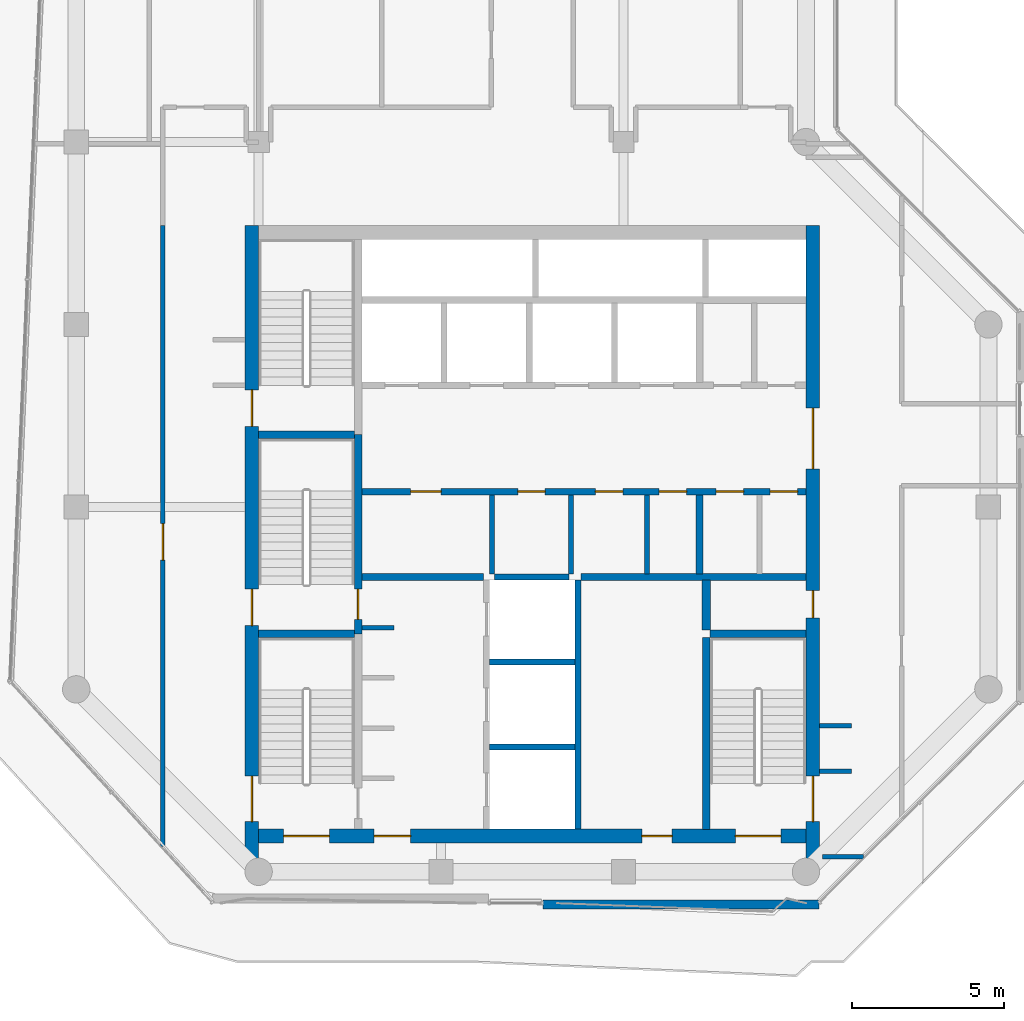
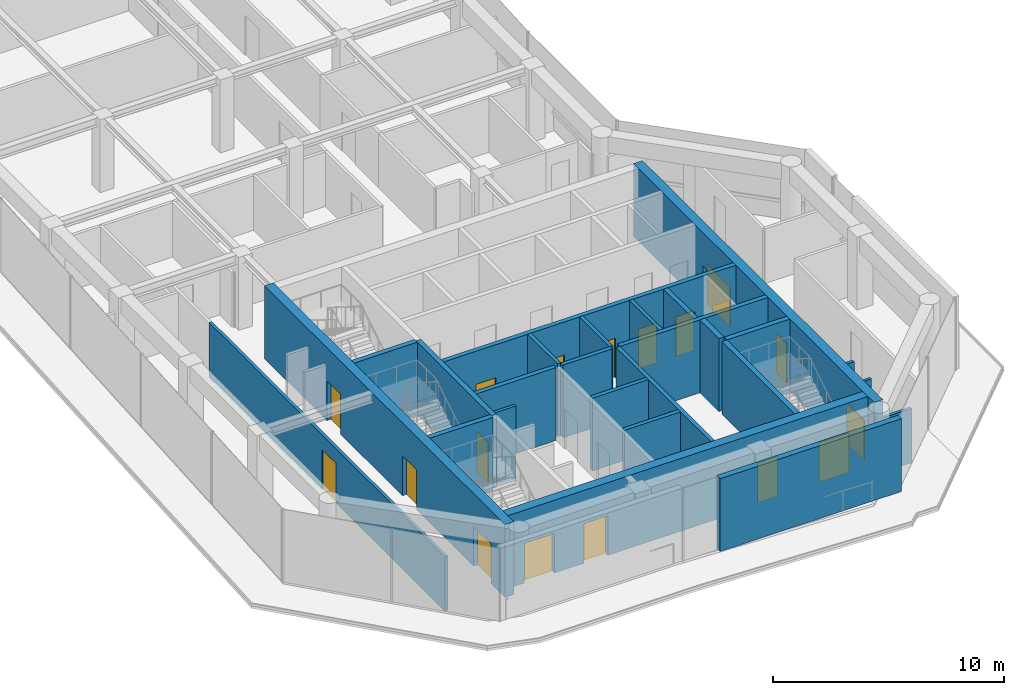
# One storey, part 16 of 20: 26 walls, 18 doors, 18 openings.
"""IFC4 building model written with IfcOpenShell, lengths in metres."""

import ifcopenshell
import ifcopenshell.guid

model = None  # the IFC model being written
_history = None  # IfcOwnerHistory: only IFC2X3 demands one
_inside = {}  # id of a spatial element -> (the spatial element, [elements in it])
_under = {}  # id of a project, library or spatial element -> (it, [spatial elements below it])
_declared = {}  # id of a project -> (the project, [libraries it declares])
_typed = {}  # id of a type object -> (the type object, [elements of that type])
_made_of = {}  # id of a material, layer set ... -> (it, [elements and type objects made of it])


def new_model(schema):
    """Start an empty IFC model of exactly this schema.

    Asked for "IFC4X3", IfcOpenShell would pick the latest addendum, in which some entities
    have other attributes; the version numbers below select the first issue.
    IFC2X3 requires an IfcOwnerHistory on every rooted entity: one is made here for all.
    """
    global model, _history
    if schema == "IFC4X3":
        model = ifcopenshell.file(schema_version=(4, 3, 0, 0))
    else:
        model = ifcopenshell.file(schema=schema)
    _inside.clear()
    _under.clear()
    _declared.clear()
    _typed.clear()
    _made_of.clear()
    _history = None
    if model.schema == "IFC2X3":
        org = make("IfcOrganization", Name="unknown")
        user = make(
            "IfcPersonAndOrganization",
            ThePerson=make("IfcPerson", FamilyName="unknown"),
            TheOrganization=org,
        )
        app = make(
            "IfcApplication",
            ApplicationDeveloper=org,
            Version="unknown",
            ApplicationFullName="unknown",
            ApplicationIdentifier="unknown",
        )
        _history = make(
            "IfcOwnerHistory",
            OwningUser=user,
            OwningApplication=app,
            ChangeAction="ADDED",
            CreationDate=0,
        )
    return model


def make(cls, **values):
    """One entity of the class cls with the attributes given. An attribute that is None is left unset."""
    return model.create_entity(
        cls, **{name: value for name, value in values.items() if value is not None}
    )


def rooted(cls, **values):
    """An entity with a GlobalId (a new one), such as an element, a storey or a relation."""
    return make(cls, GlobalId=ifcopenshell.guid.new(), OwnerHistory=_history, **values)


def si_unit(unit_type, name, prefix=None):
    """IfcSIUnit, for example si_unit("LENGTHUNIT", "METRE", prefix="MILLI")."""
    return make("IfcSIUnit", UnitType=unit_type, Prefix=prefix, Name=name)


def assignment(units):
    """IfcUnitAssignment: the units of a project."""
    return None if units is None else make("IfcUnitAssignment", Units=units)


def point(xyz):
    """IfcCartesianPoint."""
    return None if xyz is None else make("IfcCartesianPoint", Coordinates=xyz)


def direction(xyz):
    """IfcDirection."""
    return None if xyz is None else make("IfcDirection", DirectionRatios=xyz)


def frame(location, z_axis=None, x_axis=None):
    """IfcAxis2Placement3D, a coordinate frame: its origin and axes. An axis left out is left unset."""
    return make(
        "IfcAxis2Placement3D",
        Location=point(location),
        Axis=direction(z_axis),
        RefDirection=direction(x_axis),
    )


def frame_2d(location, x_axis=None):
    """IfcAxis2Placement2D, a coordinate frame in the plane: its origin and x axis."""
    return make(
        "IfcAxis2Placement2D", Location=point(location), RefDirection=direction(x_axis)
    )


def origin():
    """The frame at (0, 0, 0) with its axes left unset."""
    return frame((0.0, 0.0, 0.0))


def place(relative_to, where):
    """IfcLocalPlacement: puts the frame where relative to a parent placement (None: the world)."""
    return make(
        "IfcLocalPlacement", PlacementRelTo=relative_to, RelativePlacement=where
    )


def context(
    kind, dimensions, precision=None, world=None, true_north=None, identifier=None
):
    """IfcGeometricRepresentationContext, for example the 3D "Model" context."""
    return make(
        "IfcGeometricRepresentationContext",
        ContextIdentifier=identifier,
        ContextType=kind,
        CoordinateSpaceDimension=dimensions,
        Precision=precision,
        WorldCoordinateSystem=world,
        TrueNorth=true_north,
    )


def subcontext(parent, identifier, kind, view, scale=None):
    """IfcGeometricRepresentationSubContext, for example "Body" below "Model"."""
    return make(
        "IfcGeometricRepresentationSubContext",
        ContextIdentifier=identifier,
        ContextType=kind,
        ParentContext=parent,
        TargetScale=scale,
        TargetView=view,
    )


def project(units=None, contexts=None):
    """IfcProject with its units and contexts."""
    return rooted(
        "IfcProject",
        Name="project",
        RepresentationContexts=contexts,
        UnitsInContext=assignment(units),
    )


def spatial(cls, under=None, at=None, **own):
    """A site, building, storey or space (cls), placed at a placement, below another one or the project."""
    s = rooted(cls, ObjectPlacement=at, **own)
    if under is not None:
        _under.setdefault(under.id(), (under, []))[1].append(s)
    return s


def profile(cls, at=None, kind="AREA", **sizes):
    """A parametric profile (cls). Its sizes go by their IFC names, for example OverallWidth=200.0."""
    return make(cls, ProfileType=kind, Position=at, **sizes)


def rectangle(**sizes):
    """IfcRectangleProfileDef."""
    return profile("IfcRectangleProfileDef", **sizes)


def extrude(swept, where, along, depth):
    """IfcExtrudedAreaSolid: the profile swept, set in the frame where, extruded along a direction by depth."""
    return make(
        "IfcExtrudedAreaSolid",
        SweptArea=swept,
        Position=where,
        ExtrudedDirection=direction(along),
        Depth=depth,
    )


def shape(context_of_items, identifier, shape_type, items):
    """IfcShapeRepresentation: the items that make up one representation, for example the "Body"."""
    return make(
        "IfcShapeRepresentation",
        ContextOfItems=context_of_items,
        RepresentationIdentifier=identifier,
        RepresentationType=shape_type,
        Items=items,
    )


def material(Name=None, Category=None):
    """IfcMaterial."""
    return make("IfcMaterial", Name=Name, Category=Category)


def layer(
    of_material, thickness, ventilated=None, Name=None, Category=None, Priority=None
):
    """IfcMaterialLayer: one layer of a wall or slab, of a material (None: an air gap)."""
    return make(
        "IfcMaterialLayer",
        Material=of_material,
        LayerThickness=thickness,
        IsVentilated=ventilated,
        Name=Name,
        Category=Category,
        Priority=Priority,
    )


def layer_set(layers, Name=None):
    """IfcMaterialLayerSet."""
    return make("IfcMaterialLayerSet", MaterialLayers=layers, LayerSetName=Name)


def made_of(thing, what):
    """Note that an element or type object is made of a material, layer set ...; save() writes the relation."""
    if what is not None:
        _made_of.setdefault(what.id(), (what, []))[1].append(thing)
    return thing


def type_object(cls, material=None, **own):
    """A type object (cls), such as IfcWallType, which elements share."""
    return made_of(rooted(cls, **own), material)


def element(
    cls,
    number,
    at=None,
    inside=None,
    cuts=None,
    type_object=None,
    material=None,
    context=None,
    identifier="Body",
    shape_type=None,
    held_by="IfcProductDefinitionShape",
    body=None,
    shapes=None,
    **own,
):
    """One element of the class cls, such as IfcWall. Its Tag is "e" and its number.

    at: its placement. inside: the storey or other place that contains it. cuts: it is an
    opening in that element (IfcRelVoidsElement). A single representation is given by context,
    identifier, shape_type and body (its items); several are given by shapes. held_by: the class
    of the entity that holds the representations. save() writes the other relations.
    """
    e = rooted(cls, Tag="e%d" % number, ObjectPlacement=at, **own)
    if body is not None:
        shapes = [shape(context, identifier, shape_type, body)]
    if shapes is not None:
        e.Representation = make(held_by, Representations=shapes)
    if inside is not None:
        _inside.setdefault(inside.id(), (inside, []))[1].append(e)
    if cuts is not None:
        rooted(
            "IfcRelVoidsElement", RelatingBuildingElement=cuts, RelatedOpeningElement=e
        )
    if type_object is not None:
        _typed.setdefault(type_object.id(), (type_object, []))[1].append(e)
    return made_of(e, material)


def fill(opening, filler):
    """IfcRelFillsElement: the door or window that sits in an opening."""
    return rooted(
        "IfcRelFillsElement",
        RelatingOpeningElement=opening,
        RelatedBuildingElement=filler,
    )


def aggregate(whole, parts):
    """IfcRelAggregates: a whole, such as a stair, and the parts it consists of."""
    return rooted("IfcRelAggregates", RelatingObject=whole, RelatedObjects=parts)


def save(model, path):
    """Write the relations noted so far, then the file.

    IfcRelAggregates (storeys below a building ...), IfcRelContainedInSpatialStructure (elements
    in a storey), IfcRelDefinesByType, IfcRelAssociatesMaterial and IfcRelDeclares: one each for
    every whole, place, type object, material and project.
    """
    for whole, parts in _under.values():
        aggregate(whole, parts)
    for where, things in _inside.values():
        rooted(
            "IfcRelContainedInSpatialStructure",
            RelatedElements=things,
            RelatingStructure=where,
        )
    for kind, things in _typed.values():
        rooted("IfcRelDefinesByType", RelatedObjects=things, RelatingType=kind)
    for what, things in _made_of.values():
        rooted("IfcRelAssociatesMaterial", RelatedObjects=things, RelatingMaterial=what)
    for by, libraries in _declared.values():
        rooted("IfcRelDeclares", RelatingContext=by, RelatedDefinitions=libraries)
    model.write(path)


model = new_model("IFC4")

# Units and contexts
model_context = context("Model", 3, precision=1e-05, world=origin(), true_north=direction((0.0, 1.0)))
body_context = subcontext(model_context, "Body", "Model", "MODEL_VIEW")
ifc_project = project(units=[si_unit("LENGTHUNIT", "METRE"), si_unit("AREAUNIT", "SQUARE_METRE"), si_unit("VOLUMEUNIT", "CUBIC_METRE"), si_unit("PLANEANGLEUNIT", "RADIAN"), si_unit("MASSUNIT", "GRAM", prefix="KILO")], contexts=[model_context])

# Site, building, storey
site_placement = place(None, origin())
site = spatial("IfcSite", under=ifc_project, at=site_placement, CompositionType="ELEMENT")
building_placement = place(site_placement, origin())
building = spatial("IfcBuilding", under=site, at=building_placement, Name="Welwitschia Terrace Campus", CompositionType="ELEMENT")
storey_placement = place(building_placement, frame((0.0, 0.0, 239.0)))
storey = spatial("IfcBuildingStorey", under=building, at=storey_placement, Name="L53", CompositionType="ELEMENT", Elevation=239.0)

# Walls
ifc_material_1 = material(Name="Concrete C32/40", Category="concrete")
ifc_layer_1 = layer(ifc_material_1, 0.175048828125)
ifc_layer_set_1 = layer_set([ifc_layer_1], Name="Concrete C32/40")
wall_type_1 = type_object("IfcWallType", Name="Core partition 175 Concrete C32/40", PredefinedType="PARTITIONING", material=ifc_layer_set_1)
for number, where, z_axis, x_axis, name in (
    (1, (13.675048828125, 13.800048828125, 0.0), (0.0, 0.0, 1.0), (0.0, 1.0, 0.0), "Core partition"),
    (2, (16.27490234375, 13.800048828125, 0.0), (0.0, 0.0, 1.0), (0.0, 1.0, 0.0), "Core partition"),
    (3, (18.77490234375, 13.800048828125, 0.0), (0.0, 0.0, 1.0), (0.0, 1.0, 0.0), "Core partition"),
):
    element("IfcWall", number, at=place(storey_placement, frame(where, z_axis=z_axis, x_axis=x_axis)), inside=storey, type_object=wall_type_1, Name=name, PredefinedType="PARTITIONING", context=body_context, shape_type="SweptSolid", body=[
        extrude(rectangle(XDim=2.599853515625, YDim=0.175048828125, at=frame_2d((1.2998046875, 0.0))), origin(), (0.0, 0.0, 1.0), 3.85009765625),
    ])
ifc_material_2 = material(Name="Concrete C32/40", Category="concrete")
ifc_layer_2 = layer(ifc_material_2, 0.22509765625)
ifc_layer_set_2 = layer_set([ifc_layer_2], Name="Concrete C32/40")
wall_type_2 = type_object("IfcWallType", Name="Core partition 225 Concrete C32/40", PredefinedType="PARTITIONING", material=ifc_layer_set_2)
wall_1_placement = place(storey_placement, frame((9.39990234375, 13.699951171875, 0.0), z_axis=(0.0, 0.0, 1.0), x_axis=(1.0, 0.0, 0.0)))
element("IfcWall", 4, at=wall_1_placement, inside=storey, type_object=wall_type_2, Name="Core partition", PredefinedType="PARTITIONING", context=body_context, shape_type="SweptSolid", body=[
    extrude(rectangle(XDim=4.0, YDim=0.22509765625, at=frame_2d((2.0, 0.0))), origin(), (0.0, 0.0, 1.0), 3.85009765625),
])
wall_2_placement = place(storey_placement, frame((16.60009765625, 13.699951171875, 0.0), z_axis=(0.0, 0.0, 1.0), x_axis=(1.0, 0.0, 0.0)))
element("IfcWall", 5, at=wall_2_placement, inside=storey, type_object=wall_type_2, Name="Core partition", PredefinedType="PARTITIONING", context=body_context, shape_type="SweptSolid", body=[
    extrude(rectangle(XDim=7.39990234375, YDim=0.22509765625, at=frame_2d((3.699951171875, 0.0))), origin(), (0.0, 0.0, 1.0), 3.85009765625),
])

# Wall, openings, doors
wall_3_placement = place(storey_placement, frame((9.39990234375, 16.5, 0.0), z_axis=(0.0, 0.0, 1.0), x_axis=(1.0, 0.0, 0.0)))
wall_3 = element("IfcWall", 6, at=wall_3_placement, inside=storey, type_object=wall_type_2, Name="Core partition", PredefinedType="PARTITIONING", context=body_context, shape_type="SweptSolid", body=[
    extrude(rectangle(XDim=14.60009765625, YDim=0.22509765625, at=frame_2d((7.300048828125, 0.0))), origin(), (0.0, 0.0, 1.0), 3.85009765625),
])
opening_1_placement = place(wall_3_placement, frame((1.60009765625, 0.0, 0.0)))
opening_1 = element("IfcOpeningElement", 7, at=opening_1_placement, cuts=wall_3, Name="Opening DR10", PredefinedType="OPENING", context=body_context, shape_type="SweptSolid", body=[
    extrude(rectangle(XDim=1.0, YDim=2.10009765625, at=frame_2d((0.5, 1.050048828125))), frame((0.0, 0.12255859375, 0.0), z_axis=(0.0, -1.0, 0.0), x_axis=(1.0, 0.0, 0.0)), (0.0, 0.0, 1.0), 0.2451171875),
])
opening_2_placement = place(wall_3_placement, frame((5.125, 0.0, 0.0)))
opening_2 = element("IfcOpeningElement", 8, at=opening_2_placement, cuts=wall_3, Name="Opening DR09", PredefinedType="OPENING", context=body_context, shape_type="SweptSolid", body=[
    extrude(rectangle(XDim=0.89990234375, YDim=2.10009765625, at=frame_2d((0.449951171875, 1.050048828125))), frame((0.0, 0.12255859375, 0.0), z_axis=(0.0, -1.0, 0.0), x_axis=(1.0, 0.0, 0.0)), (0.0, 0.0, 1.0), 0.2451171875),
])
opening_3_placement = place(wall_3_placement, frame((7.675048828125, 0.0, 0.0)))
opening_3 = element("IfcOpeningElement", 9, at=opening_3_placement, cuts=wall_3, Name="Opening DR09", PredefinedType="OPENING", context=body_context, shape_type="SweptSolid", body=[
    extrude(rectangle(XDim=0.89990234375, YDim=2.10009765625, at=frame_2d((0.449951171875, 1.050048828125))), frame((0.0, 0.12255859375, 0.0), z_axis=(0.0, -1.0, 0.0), x_axis=(1.0, 0.0, 0.0)), (0.0, 0.0, 1.0), 0.2451171875),
])
opening_4_placement = place(wall_3_placement, frame((9.77490234375, 0.0, 0.0)))
opening_4 = element("IfcOpeningElement", 10, at=opening_4_placement, cuts=wall_3, Name="Opening DR09", PredefinedType="OPENING", context=body_context, shape_type="SweptSolid", body=[
    extrude(rectangle(XDim=0.89990234375, YDim=2.10009765625, at=frame_2d((0.449951171875, 1.050048828125))), frame((0.0, 0.12255859375, 0.0), z_axis=(0.0, -1.0, 0.0), x_axis=(1.0, 0.0, 0.0)), (0.0, 0.0, 1.0), 0.2451171875),
])
opening_5_placement = place(wall_3_placement, frame((11.6474609375, 0.0, 0.0)))
opening_5 = element("IfcOpeningElement", 11, at=opening_5_placement, cuts=wall_3, Name="Opening DR09", PredefinedType="OPENING", context=body_context, shape_type="SweptSolid", body=[
    extrude(rectangle(XDim=0.89990234375, YDim=2.10009765625, at=frame_2d((0.449951171875, 1.050048828125))), frame((0.0, 0.12255859375, 0.0), z_axis=(0.0, -1.0, 0.0), x_axis=(1.0, 0.0, 0.0)), (0.0, 0.0, 1.0), 0.2451171875),
])
opening_6_placement = place(wall_3_placement, frame((13.422607421875, 0.0, 0.0)))
opening_6 = element("IfcOpeningElement", 12, at=opening_6_placement, cuts=wall_3, Name="Opening DR09", PredefinedType="OPENING", context=body_context, shape_type="SweptSolid", body=[
    extrude(rectangle(XDim=0.89990234375, YDim=2.10009765625, at=frame_2d((0.449951171875, 1.050048828125))), frame((0.0, 0.12255859375, 0.0), z_axis=(0.0, -1.0, 0.0), x_axis=(1.0, 0.0, 0.0)), (0.0, 0.0, 1.0), 0.2451171875),
])
ifc_material_3 = material(Name="Steel S275", Category="steel")
door_type_1 = type_object("IfcDoorType", Name="Core door DR09", OperationType="SINGLE_SWING_LEFT", PredefinedType="DOOR", material=ifc_material_3)
door_1_placement = place(opening_2_placement, origin())
door_1 = element("IfcDoor", 13, at=door_1_placement, inside=storey, type_object=door_type_1, Name="Door BAYL2-D", OperationType="SINGLE_SWING_LEFT", OverallHeight=2.10009765625, OverallWidth=0.89990234375, PredefinedType="DOOR", context=body_context, shape_type="SweptSolid", body=[
    extrude(rectangle(XDim=0.89990234375, YDim=2.10009765625, at=frame_2d((0.449951171875, 1.050048828125))), frame((0.0, 0.02490234375, 0.0), z_axis=(0.0, -1.0, 0.0), x_axis=(1.0, 0.0, 0.0)), (0.0, 0.0, 1.0), 0.050048828125),
])
fill(opening_2, door_1)
door_2_placement = place(opening_3_placement, origin())
door_2 = element("IfcDoor", 14, at=door_2_placement, inside=storey, type_object=door_type_1, Name="Door BAYL3-D", OperationType="SINGLE_SWING_RIGHT", OverallHeight=2.10009765625, OverallWidth=0.89990234375, PredefinedType="DOOR", context=body_context, shape_type="SweptSolid", body=[
    extrude(rectangle(XDim=0.89990234375, YDim=2.10009765625, at=frame_2d((0.449951171875, 1.050048828125))), frame((0.0, 0.02490234375, 0.0), z_axis=(0.0, -1.0, 0.0), x_axis=(1.0, 0.0, 0.0)), (0.0, 0.0, 1.0), 0.050048828125),
])
fill(opening_3, door_2)
door_3_placement = place(opening_4_placement, origin())
door_3 = element("IfcDoor", 15, at=door_3_placement, inside=storey, type_object=door_type_1, Name="Door BAYL4-D", OperationType="SINGLE_SWING_RIGHT", OverallHeight=2.10009765625, OverallWidth=0.89990234375, PredefinedType="DOOR", context=body_context, shape_type="SweptSolid", body=[
    extrude(rectangle(XDim=0.89990234375, YDim=2.10009765625, at=frame_2d((0.449951171875, 1.050048828125))), frame((0.0, 0.02490234375, 0.0), z_axis=(0.0, -1.0, 0.0), x_axis=(1.0, 0.0, 0.0)), (0.0, 0.0, 1.0), 0.050048828125),
])
fill(opening_4, door_3)
door_4_placement = place(opening_5_placement, origin())
door_4 = element("IfcDoor", 16, at=door_4_placement, inside=storey, type_object=door_type_1, Name="Door EL1-D", OperationType="SINGLE_SWING_RIGHT", OverallHeight=2.10009765625, OverallWidth=0.89990234375, PredefinedType="DOOR", context=body_context, shape_type="SweptSolid", body=[
    extrude(rectangle(XDim=0.89990234375, YDim=2.10009765625, at=frame_2d((0.449951171875, 1.050048828125))), frame((0.0, 0.02490234375, 0.0), z_axis=(0.0, -1.0, 0.0), x_axis=(1.0, 0.0, 0.0)), (0.0, 0.0, 1.0), 0.050048828125),
])
fill(opening_5, door_4)
door_5_placement = place(opening_6_placement, origin())
door_5 = element("IfcDoor", 17, at=door_5_placement, inside=storey, type_object=door_type_1, Name="Door EL2-D", OperationType="SINGLE_SWING_RIGHT", OverallHeight=2.10009765625, OverallWidth=0.89990234375, PredefinedType="DOOR", context=body_context, shape_type="SweptSolid", body=[
    extrude(rectangle(XDim=0.89990234375, YDim=2.10009765625, at=frame_2d((0.449951171875, 1.050048828125))), frame((0.0, 0.02490234375, 0.0), z_axis=(0.0, -1.0, 0.0), x_axis=(1.0, 0.0, 0.0)), (0.0, 0.0, 1.0), 0.050048828125),
])
fill(opening_6, door_5)
ifc_material_4 = material(Name="Steel S275", Category="steel")
door_type_2 = type_object("IfcDoorType", Name="Core door DR10", OperationType="SINGLE_SWING_LEFT", PredefinedType="DOOR", material=ifc_material_4)
door_6_placement = place(opening_1_placement, origin())
door_6 = element("IfcDoor", 18, at=door_6_placement, inside=storey, type_object=door_type_2, Name="Door BAYL1-D", OperationType="SINGLE_SWING_LEFT", OverallHeight=2.10009765625, OverallWidth=1.0, PredefinedType="DOOR", context=body_context, shape_type="SweptSolid", body=[
    extrude(rectangle(XDim=1.0, YDim=2.10009765625, at=frame_2d((0.5, 1.050048828125))), frame((0.0, 0.02490234375, 0.0), z_axis=(0.0, -1.0, 0.0), x_axis=(1.0, 0.0, 0.0)), (0.0, 0.0, 1.0), 0.050048828125),
])
fill(opening_1, door_6)

# Walls
wall_4_placement = place(storey_placement, frame((20.5, 13.800048828125, 0.0), z_axis=(0.0, 0.0, 1.0), x_axis=(0.0, 1.0, 0.0)))
element("IfcWall", 19, at=wall_4_placement, inside=storey, type_object=wall_type_2, Name="Core partition", PredefinedType="PARTITIONING", context=body_context, shape_type="SweptSolid", body=[
    extrude(rectangle(XDim=2.599853515625, YDim=0.22509765625, at=frame_2d((1.2998046875, 0.0))), origin(), (0.0, 0.0, 1.0), 3.85009765625),
])
ifc_material_5 = material(Name="Concrete C32/40", Category="concrete")
ifc_layer_3 = layer(ifc_material_5, 0.27490234375)
ifc_layer_set_3 = layer_set([ifc_layer_3], Name="Concrete C32/40")
wall_type_3 = type_object("IfcWallType", Name="Core partition 275 Concrete C32/40", PredefinedType="PARTITIONING", material=ifc_layer_set_3)
wall_5_placement = place(storey_placement, frame((20.72509765625, 11.949951171875, 0.0), z_axis=(0.0, 0.0, 1.0), x_axis=(0.0, 1.0, 0.0)))
element("IfcWall", 20, at=wall_5_placement, inside=storey, type_object=wall_type_3, Name="Core partition", PredefinedType="PARTITIONING", context=body_context, shape_type="SweptSolid", body=[
    extrude(rectangle(XDim=1.650146484375, YDim=0.27490234375, at=frame_2d((0.8251953125, 0.0))), origin(), (0.0, 0.0, 1.0), 3.85009765625),
])
ifc_material_6 = material(Name="Concrete C50/60", Category="concrete")
ifc_layer_4 = layer(ifc_material_6, 0.14990234375)
ifc_layer_set_4 = layer_set([ifc_layer_4], Name="Concrete C50/60")
wall_type_4 = type_object("IfcWallType", Name="Core wall 150 Concrete C50/60", PredefinedType="SHEAR", material=ifc_layer_set_4)
wall_6_placement = place(storey_placement, frame((9.39990234375, 12.02490234375, 0.0), z_axis=(0.0, 0.0, 1.0), x_axis=(1.0, 0.0, 0.0)))
element("IfcWall", 21, at=wall_6_placement, inside=storey, type_object=wall_type_4, Name="Core wall", PredefinedType="SHEAR", context=body_context, shape_type="SweptSolid", body=[
    extrude(rectangle(XDim=1.050048828125, YDim=0.14990234375, at=frame_2d((0.52490234375, 0.0))), origin(), (0.0, 0.0, 1.0), 3.85009765625),
])
ifc_material_7 = material(Name="Concrete C50/60", Category="concrete")
ifc_layer_5 = layer(ifc_material_7, 0.199951171875)
ifc_layer_set_5 = layer_set([ifc_layer_5], Name="Concrete C50/60")
wall_type_5 = type_object("IfcWallType", Name="Core wall 200 Concrete C50/60", PredefinedType="SHEAR", material=ifc_layer_set_5)
for number, where, z_axis, x_axis, name in (
    (22, (13.60009765625, 8.10009765625, 0.0), (0.0, 0.0, 1.0), (1.0, 0.0, 0.0), "Core wall"),
    (23, (13.60009765625, 10.89990234375, 0.0), (0.0, 0.0, 1.0), (1.0, 0.0, 0.0), "Core wall"),
):
    element("IfcWall", number, at=place(storey_placement, frame(where, z_axis=z_axis, x_axis=x_axis)), inside=storey, type_object=wall_type_5, Name=name, PredefinedType="SHEAR", context=body_context, shape_type="SweptSolid", body=[
        extrude(rectangle(XDim=2.7998046875, YDim=0.199951171875, at=frame_2d((1.39990234375, 0.0))), origin(), (0.0, 0.0, 1.0), 3.85009765625),
    ])
wall_7_placement = place(storey_placement, frame((13.75, 13.699951171875, 0.0), z_axis=(0.0, 0.0, 1.0), x_axis=(1.0, 0.0, 0.0)))
element("IfcWall", 24, at=wall_7_placement, inside=storey, type_object=wall_type_5, Name="Core wall", PredefinedType="SHEAR", context=body_context, shape_type="SweptSolid", body=[
    extrude(rectangle(XDim=2.449951171875, YDim=0.199951171875, at=frame_2d((1.22509765625, 0.0))), origin(), (0.0, 0.0, 1.0), 3.85009765625),
])
wall_8_placement = place(storey_placement, frame((16.5, 5.39990234375, 0.0), z_axis=(0.0, 0.0, 1.0), x_axis=(0.0, 1.0, 0.0)))
element("IfcWall", 25, at=wall_8_placement, inside=storey, type_object=wall_type_5, Name="Core wall", PredefinedType="SHEAR", context=body_context, shape_type="SweptSolid", body=[
    extrude(rectangle(XDim=8.2001953125, YDim=0.199951171875, at=frame_2d((4.10009765625, 0.0))), origin(), (0.0, 0.0, 1.0), 3.85009765625),
])
ifc_material_8 = material(Name="Concrete C50/60", Category="concrete")
ifc_layer_6 = layer(ifc_material_8, 0.25)
ifc_layer_set_6 = layer_set([ifc_layer_6], Name="Concrete C50/60")
wall_type_6 = type_object("IfcWallType", Name="Core wall 250 Concrete C50/60", PredefinedType="SHEAR", material=ifc_layer_set_6)
for number, where, z_axis, x_axis, name in (
    (26, (6.0, 11.824951171875, 0.0), (0.0, 0.0, 1.0), (1.0, 0.0, 0.0), "Core wall"),
    (27, (20.85009765625, 11.824951171875, 0.0), (0.0, 0.0, 1.0), (1.0, 0.0, 0.0), "Core wall"),
    (28, (6.0, 18.375, 0.0), (0.0, 0.0, 1.0), (1.0, 0.0, 0.0), "Core wall"),
):
    element("IfcWall", number, at=place(storey_placement, frame(where, z_axis=z_axis, x_axis=x_axis)), inside=storey, type_object=wall_type_6, Name=name, PredefinedType="SHEAR", context=body_context, shape_type="SweptSolid", body=[
        extrude(rectangle(XDim=3.14990234375, YDim=0.25, at=frame_2d((1.574951171875, 0.0))), origin(), (0.0, 0.0, 1.0), 3.85009765625),
    ])

# Wall, opening, door
wall_9_placement = place(storey_placement, frame((9.27490234375, 18.375, 0.0), z_axis=(0.0, 0.0, 1.0), x_axis=(0.0, -1.0, 0.0)))
wall_9 = element("IfcWall", 29, at=wall_9_placement, inside=storey, type_object=wall_type_6, Name="Core wall", PredefinedType="SHEAR", context=body_context, shape_type="SweptSolid", body=[
    extrude(rectangle(XDim=6.550048828125, YDim=0.25, at=frame_2d((3.27490234375, 0.0))), origin(), (0.0, 0.0, 1.0), 3.85009765625),
])
opening_7_placement = place(wall_9_placement, frame((5.074951171875, 0.0, 0.0)))
opening_7 = element("IfcOpeningElement", 30, at=opening_7_placement, cuts=wall_9, Name="Opening DS10", PredefinedType="OPENING", context=body_context, shape_type="SweptSolid", body=[
    extrude(rectangle(XDim=1.0, YDim=2.10009765625, at=frame_2d((0.5, 1.050048828125))), frame((0.0, 0.135009765625, 0.0), z_axis=(0.0, -1.0, 0.0), x_axis=(1.0, 0.0, 0.0)), (0.0, 0.0, 1.0), 0.27001953125),
])
ifc_material_9 = material(Name="Steel S275", Category="steel")
door_type_3 = type_object("IfcDoorType", Name="Core door DS10", OperationType="SINGLE_SWING_LEFT", PredefinedType="DOOR", material=ifc_material_9)
door_7_placement = place(opening_7_placement, origin())
door_7 = element("IfcDoor", 31, at=door_7_placement, inside=storey, type_object=door_type_3, Name="Door S3-FL", OperationType="SINGLE_SWING_RIGHT", OverallHeight=2.10009765625, OverallWidth=1.0, PredefinedType="DOOR", context=body_context, shape_type="SweptSolid", body=[
    extrude(rectangle(XDim=1.0, YDim=2.10009765625, at=frame_2d((0.5, 1.050048828125))), frame((0.0, 0.02490234375, 0.0), z_axis=(0.0, -1.0, 0.0), x_axis=(1.0, 0.0, 0.0)), (0.0, 0.0, 1.0), 0.050048828125),
])
fill(opening_7, door_7)

# Wall
wall_10_placement = place(storey_placement, frame((20.72509765625, 5.39990234375, 0.0), z_axis=(0.0, 0.0, 1.0), x_axis=(0.0, 1.0, 0.0)))
element("IfcWall", 32, at=wall_10_placement, inside=storey, type_object=wall_type_6, Name="Core wall", PredefinedType="SHEAR", context=body_context, shape_type="SweptSolid", body=[
    extrude(rectangle(XDim=6.300048828125, YDim=0.25, at=frame_2d((3.14990234375, 0.0))), origin(), (0.0, 0.0, 1.0), 3.85009765625),
])

# Wall, openings, doors
ifc_material_10 = material(Name="Concrete C60/75", Category="concrete")
ifc_layer_7 = layer(ifc_material_10, 0.449951171875)
ifc_layer_set_7 = layer_set([ifc_layer_7], Name="Concrete C60/75")
wall_type_7 = type_object("IfcWallType", Name="Core wall 450 Concrete C60/75", PredefinedType="SHEAR", material=ifc_layer_set_7)
wall_11_placement = place(storey_placement, frame((5.77490234375, 4.419921875, 0.0), z_axis=(0.0, 0.0, 1.0), x_axis=(0.0, 1.0, 0.0)))
wall_11 = element("IfcWall", 33, at=wall_11_placement, inside=storey, type_object=wall_type_7, Name="Core outer wall", PredefinedType="SHEAR", context=body_context, shape_type="SweptSolid", body=[
    extrude(rectangle(XDim=20.830078125, YDim=0.449951171875, at=frame_2d((10.4150390625, 0.0))), origin(), (0.0, 0.0, 1.0), 3.85009765625),
])
opening_8_placement = place(wall_11_placement, frame((1.22998046875, 0.0, 0.0)))
opening_8 = element("IfcOpeningElement", 34, at=opening_8_placement, cuts=wall_11, Name="Opening DS15", PredefinedType="OPENING", context=body_context, shape_type="SweptSolid", body=[
    extrude(rectangle(XDim=1.5, YDim=2.10009765625, at=frame_2d((0.75, 1.050048828125))), frame((0.0, 0.23486328125, 0.0), z_axis=(0.0, -1.0, 0.0), x_axis=(1.0, 0.0, 0.0)), (0.0, 0.0, 1.0), 0.469970703125),
])
opening_9_placement = place(wall_11_placement, frame((7.679931640625, 0.0, 0.0)))
opening_9 = element("IfcOpeningElement", 35, at=opening_9_placement, cuts=wall_11, Name="Opening DS12", PredefinedType="OPENING", context=body_context, shape_type="SweptSolid", body=[
    extrude(rectangle(XDim=1.199951171875, YDim=2.10009765625, at=frame_2d((0.60009765625, 1.050048828125))), frame((0.0, 0.23486328125, 0.0), z_axis=(0.0, -1.0, 0.0), x_axis=(1.0, 0.0, 0.0)), (0.0, 0.0, 1.0), 0.469970703125),
])
opening_10_placement = place(wall_11_placement, frame((14.22998046875, 0.0, 0.0)))
opening_10 = element("IfcOpeningElement", 36, at=opening_10_placement, cuts=wall_11, Name="Opening DS12", PredefinedType="OPENING", context=body_context, shape_type="SweptSolid", body=[
    extrude(rectangle(XDim=1.199951171875, YDim=2.10009765625, at=frame_2d((0.60009765625, 1.050048828125))), frame((0.0, 0.23486328125, 0.0), z_axis=(0.0, -1.0, 0.0), x_axis=(1.0, 0.0, 0.0)), (0.0, 0.0, 1.0), 0.469970703125),
])
ifc_material_11 = material(Name="Steel S275", Category="steel")
door_type_4 = type_object("IfcDoorType", Name="Core door DS12", OperationType="SINGLE_SWING_LEFT", PredefinedType="DOOR", material=ifc_material_11)
door_8_placement = place(opening_9_placement, origin())
door_8 = element("IfcDoor", 37, at=door_8_placement, inside=storey, type_object=door_type_4, Name="Door S3-out", OperationType="SINGLE_SWING_LEFT", OverallHeight=2.10009765625, OverallWidth=1.199951171875, PredefinedType="DOOR", context=body_context, shape_type="SweptSolid", body=[
    extrude(rectangle(XDim=1.199951171875, YDim=2.10009765625, at=frame_2d((0.60009765625, 1.050048828125))), frame((0.0, 0.02490234375, 0.0), z_axis=(0.0, -1.0, 0.0), x_axis=(1.0, 0.0, 0.0)), (0.0, 0.0, 1.0), 0.050048828125),
])
fill(opening_9, door_8)
door_9_placement = place(opening_10_placement, origin())
door_9 = element("IfcDoor", 38, at=door_9_placement, inside=storey, type_object=door_type_4, Name="Door S4-out", OperationType="SINGLE_SWING_RIGHT", OverallHeight=2.10009765625, OverallWidth=1.199951171875, PredefinedType="DOOR", context=body_context, shape_type="SweptSolid", body=[
    extrude(rectangle(XDim=1.199951171875, YDim=2.10009765625, at=frame_2d((0.60009765625, 1.050048828125))), frame((0.0, 0.02490234375, 0.0), z_axis=(0.0, -1.0, 0.0), x_axis=(1.0, 0.0, 0.0)), (0.0, 0.0, 1.0), 0.050048828125),
])
fill(opening_10, door_9)
ifc_material_12 = material(Name="Steel S275", Category="steel")
door_type_5 = type_object("IfcDoorType", Name="Core door DS15", OperationType="DOUBLE_DOOR_SINGLE_SWING", PredefinedType="DOOR", material=ifc_material_12)
door_10_placement = place(opening_8_placement, origin())
door_10 = element("IfcDoor", 39, at=door_10_placement, inside=storey, type_object=door_type_5, Name="Door S1-out", OperationType="DOUBLE_DOOR_SINGLE_SWING", OverallHeight=2.10009765625, OverallWidth=1.5, PredefinedType="DOOR", context=body_context, shape_type="SweptSolid", body=[
    extrude(rectangle(XDim=1.5, YDim=2.10009765625, at=frame_2d((0.75, 1.050048828125))), frame((0.0, 0.02490234375, 0.0), z_axis=(0.0, -1.0, 0.0), x_axis=(1.0, 0.0, 0.0)), (0.0, 0.0, 1.0), 0.050048828125),
])
fill(opening_8, door_10)

wall_12_placement = place(storey_placement, frame((24.22509765625, 25.25, 0.0), z_axis=(0.0, 0.0, 1.0), x_axis=(0.0, -1.0, 0.0)))
wall_12 = element("IfcWall", 40, at=wall_12_placement, inside=storey, type_object=wall_type_7, Name="Core outer wall", PredefinedType="SHEAR", context=body_context, shape_type="SweptSolid", body=[
    extrude(rectangle(XDim=20.830078125, YDim=0.449951171875, at=frame_2d((10.4150390625, 0.0))), origin(), (0.0, 0.0, 1.0), 3.85009765625),
])
opening_11_placement = place(wall_12_placement, frame((18.10009765625, 0.0, 0.0)))
opening_11 = element("IfcOpeningElement", 41, at=opening_11_placement, cuts=wall_12, Name="Opening DS15", PredefinedType="OPENING", context=body_context, shape_type="SweptSolid", body=[
    extrude(rectangle(XDim=1.5, YDim=2.10009765625, at=frame_2d((0.75, 1.050048828125))), frame((0.0, 0.23486328125, 0.0), z_axis=(0.0, -1.0, 0.0), x_axis=(1.0, 0.0, 0.0)), (0.0, 0.0, 1.0), 0.469970703125),
])
opening_12_placement = place(wall_12_placement, frame((12.0, 0.0, 0.0)))
opening_12 = element("IfcOpeningElement", 42, at=opening_12_placement, cuts=wall_12, Name="Opening DR09", PredefinedType="OPENING", context=body_context, shape_type="SweptSolid", body=[
    extrude(rectangle(XDim=0.89990234375, YDim=2.10009765625, at=frame_2d((0.449951171875, 1.050048828125))), frame((0.0, 0.23486328125, 0.0), z_axis=(0.0, -1.0, 0.0), x_axis=(1.0, 0.0, 0.0)), (0.0, 0.0, 1.0), 0.469970703125),
])
opening_13_placement = place(wall_12_placement, frame((6.0, 0.0, 0.0)))
opening_13 = element("IfcOpeningElement", 43, at=opening_13_placement, cuts=wall_12, Name="Opening DL20", PredefinedType="OPENING", context=body_context, shape_type="SweptSolid", body=[
    extrude(rectangle(XDim=2.0, YDim=2.10009765625, at=frame_2d((1.0, 1.050048828125))), frame((0.0, 0.23486328125, 0.0), z_axis=(0.0, -1.0, 0.0), x_axis=(1.0, 0.0, 0.0)), (0.0, 0.0, 1.0), 0.469970703125),
])
ifc_material_13 = material(Name="Steel S275", Category="steel")
door_type_6 = type_object("IfcDoorType", Name="Core door DL20", OperationType="DOUBLE_DOOR_SINGLE_SWING", PredefinedType="DOOR", material=ifc_material_13)
door_11_placement = place(opening_13_placement, origin())
door_11 = element("IfcDoor", 44, at=door_11_placement, inside=storey, type_object=door_type_6, Name="Door LOBBY-out", OperationType="DOUBLE_DOOR_SINGLE_SWING", OverallHeight=2.10009765625, OverallWidth=2.0, PredefinedType="DOOR", context=body_context, shape_type="SweptSolid", body=[
    extrude(rectangle(XDim=2.0, YDim=2.10009765625, at=frame_2d((1.0, 1.050048828125))), frame((0.0, 0.02490234375, 0.0), z_axis=(0.0, -1.0, 0.0), x_axis=(1.0, 0.0, 0.0)), (0.0, 0.0, 1.0), 0.050048828125),
])
fill(opening_13, door_11)
door_12_placement = place(opening_12_placement, origin())
door_12 = element("IfcDoor", 45, at=door_12_placement, inside=storey, type_object=door_type_1, Name="Door F1B-out", OperationType="SINGLE_SWING_RIGHT", OverallHeight=2.10009765625, OverallWidth=0.89990234375, PredefinedType="DOOR", context=body_context, shape_type="SweptSolid", body=[
    extrude(rectangle(XDim=0.89990234375, YDim=2.10009765625, at=frame_2d((0.449951171875, 1.050048828125))), frame((0.0, 0.02490234375, 0.0), z_axis=(0.0, -1.0, 0.0), x_axis=(1.0, 0.0, 0.0)), (0.0, 0.0, 1.0), 0.050048828125),
])
fill(opening_12, door_12)
door_13_placement = place(opening_11_placement, origin())
door_13 = element("IfcDoor", 46, at=door_13_placement, inside=storey, type_object=door_type_5, Name="Door S2-out", OperationType="DOUBLE_DOOR_SINGLE_SWING", OverallHeight=2.10009765625, OverallWidth=1.5, PredefinedType="DOOR", context=body_context, shape_type="SweptSolid", body=[
    extrude(rectangle(XDim=1.5, YDim=2.10009765625, at=frame_2d((0.75, 1.050048828125))), frame((0.0, 0.02490234375, 0.0), z_axis=(0.0, -1.0, 0.0), x_axis=(1.0, 0.0, 0.0)), (0.0, 0.0, 1.0), 0.050048828125),
])
fill(opening_11, door_13)

wall_13_placement = place(storey_placement, frame((24.0, 5.175048828125, 0.0), z_axis=(0.0, 0.0, 1.0), x_axis=(-1.0, 0.0, 0.0)))
wall_13 = element("IfcWall", 47, at=wall_13_placement, inside=storey, type_object=wall_type_7, Name="Core outer wall", PredefinedType="SHEAR", context=body_context, shape_type="SweptSolid", body=[
    extrude(rectangle(XDim=18.0, YDim=0.449951171875, at=frame_2d((9.0, 0.0))), origin(), (0.0, 0.0, 1.0), 3.85009765625),
])
opening_14_placement = place(wall_13_placement, frame((0.824951171875, 0.0, 0.0)))
opening_14 = element("IfcOpeningElement", 48, at=opening_14_placement, cuts=wall_13, Name="Opening DS15", PredefinedType="OPENING", context=body_context, shape_type="SweptSolid", body=[
    extrude(rectangle(XDim=1.5, YDim=2.10009765625, at=frame_2d((0.75, 1.050048828125))), frame((0.0, 0.23486328125, 0.0), z_axis=(0.0, -1.0, 0.0), x_axis=(1.0, 0.0, 0.0)), (0.0, 0.0, 1.0), 0.469970703125),
])
opening_15_placement = place(wall_13_placement, frame((15.675048828125, 0.0, 0.0)))
opening_15 = element("IfcOpeningElement", 49, at=opening_15_placement, cuts=wall_13, Name="Opening DS15", PredefinedType="OPENING", context=body_context, shape_type="SweptSolid", body=[
    extrude(rectangle(XDim=1.5, YDim=2.10009765625, at=frame_2d((0.75, 1.050048828125))), frame((0.0, 0.23486328125, 0.0), z_axis=(0.0, -1.0, 0.0), x_axis=(1.0, 0.0, 0.0)), (0.0, 0.0, 1.0), 0.469970703125),
])
opening_16_placement = place(wall_13_placement, frame((13.0, 0.0, 0.0)))
opening_16 = element("IfcOpeningElement", 50, at=opening_16_placement, cuts=wall_13, Name="Opening DF12", PredefinedType="OPENING", context=body_context, shape_type="SweptSolid", body=[
    extrude(rectangle(XDim=1.199951171875, YDim=2.10009765625, at=frame_2d((0.60009765625, 1.050048828125))), frame((0.0, 0.23486328125, 0.0), z_axis=(0.0, -1.0, 0.0), x_axis=(1.0, 0.0, 0.0)), (0.0, 0.0, 1.0), 0.469970703125),
])
opening_17_placement = place(wall_13_placement, frame((4.39990234375, 0.0, 0.0)))
opening_17 = element("IfcOpeningElement", 51, at=opening_17_placement, cuts=wall_13, Name="Opening DR10", PredefinedType="OPENING", context=body_context, shape_type="SweptSolid", body=[
    extrude(rectangle(XDim=1.0, YDim=2.10009765625, at=frame_2d((0.5, 1.050048828125))), frame((0.0, 0.23486328125, 0.0), z_axis=(0.0, -1.0, 0.0), x_axis=(1.0, 0.0, 0.0)), (0.0, 0.0, 1.0), 0.469970703125),
])
ifc_material_14 = material(Name="Steel S275", Category="steel")
door_type_7 = type_object("IfcDoorType", Name="Core door DF12", OperationType="SINGLE_SWING_LEFT", PredefinedType="DOOR", material=ifc_material_14)
door_14_placement = place(opening_16_placement, origin())
door_14 = element("IfcDoor", 52, at=door_14_placement, inside=storey, type_object=door_type_7, Name="Door FL-out", OperationType="SINGLE_SWING_RIGHT", OverallHeight=2.10009765625, OverallWidth=1.199951171875, PredefinedType="DOOR", context=body_context, shape_type="SweptSolid", body=[
    extrude(rectangle(XDim=1.199951171875, YDim=2.10009765625, at=frame_2d((0.60009765625, 1.050048828125))), frame((0.0, 0.02490234375, 0.0), z_axis=(0.0, -1.0, 0.0), x_axis=(1.0, 0.0, 0.0)), (0.0, 0.0, 1.0), 0.050048828125),
])
fill(opening_16, door_14)
door_15_placement = place(opening_17_placement, origin())
door_15 = element("IfcDoor", 53, at=door_15_placement, inside=storey, type_object=door_type_2, Name="Door F1-out", OperationType="SINGLE_SWING_LEFT", OverallHeight=2.10009765625, OverallWidth=1.0, PredefinedType="DOOR", context=body_context, shape_type="SweptSolid", body=[
    extrude(rectangle(XDim=1.0, YDim=2.10009765625, at=frame_2d((0.5, 1.050048828125))), frame((0.0, 0.02490234375, 0.0), z_axis=(0.0, -1.0, 0.0), x_axis=(1.0, 0.0, 0.0)), (0.0, 0.0, 1.0), 0.050048828125),
])
fill(opening_17, door_15)
door_16_placement = place(opening_14_placement, origin())
door_16 = element("IfcDoor", 54, at=door_16_placement, inside=storey, type_object=door_type_5, Name="Door S2-outS", OperationType="DOUBLE_DOOR_SINGLE_SWING", OverallHeight=2.10009765625, OverallWidth=1.5, PredefinedType="DOOR", context=body_context, shape_type="SweptSolid", body=[
    extrude(rectangle(XDim=1.5, YDim=2.10009765625, at=frame_2d((0.75, 1.050048828125))), frame((0.0, 0.02490234375, 0.0), z_axis=(0.0, -1.0, 0.0), x_axis=(1.0, 0.0, 0.0)), (0.0, 0.0, 1.0), 0.050048828125),
])
fill(opening_14, door_16)
door_17_placement = place(opening_15_placement, origin())
door_17 = element("IfcDoor", 55, at=door_17_placement, inside=storey, type_object=door_type_5, Name="Door S1-outS", OperationType="DOUBLE_DOOR_SINGLE_SWING", OverallHeight=2.10009765625, OverallWidth=1.5, PredefinedType="DOOR", context=body_context, shape_type="SweptSolid", body=[
    extrude(rectangle(XDim=1.5, YDim=2.10009765625, at=frame_2d((0.75, 1.050048828125))), frame((0.0, 0.02490234375, 0.0), z_axis=(0.0, -1.0, 0.0), x_axis=(1.0, 0.0, 0.0)), (0.0, 0.0, 1.0), 0.050048828125),
])
fill(opening_15, door_17)

# Wall, opening, door
ifc_material_15 = material(Name="Gypsum board on steel studs", Category="steel")
ifc_layer_8 = layer(ifc_material_15, 0.14990234375)
ifc_layer_set_8 = layer_set([ifc_layer_8], Name="Gypsum board on steel studs")
wall_type_8 = type_object("IfcWallType", Name="Corridor partition 150 EI 30", PredefinedType="PARTITIONING", material=ifc_layer_set_8)
wall_14_placement = place(storey_placement, frame((2.85009765625, 4.830078125, 0.0), z_axis=(0.0, 0.0, 1.0), x_axis=(0.0, 1.0, 0.0)))
wall_14 = element("IfcWall", 56, at=wall_14_placement, inside=storey, type_object=wall_type_8, Name="Partition", PredefinedType="PARTITIONING", context=body_context, shape_type="SweptSolid", body=[
    extrude(rectangle(XDim=20.419921875, YDim=0.14990234375, at=frame_2d((10.2099609375, 0.0))), origin(), (0.0, 0.0, 1.0), 2.8798828125),
])
opening_18_placement = place(wall_14_placement, frame((9.419921875, 0.0, 0.0)))
opening_18 = element("IfcOpeningElement", 57, at=opening_18_placement, cuts=wall_14, Name="Opening DI12", PredefinedType="OPENING", context=body_context, shape_type="SweptSolid", body=[
    extrude(rectangle(XDim=1.199951171875, YDim=2.10009765625, at=frame_2d((0.60009765625, 1.050048828125))), frame((0.0, 0.0849609375, 0.0), z_axis=(0.0, -1.0, 0.0), x_axis=(1.0, 0.0, 0.0)), (0.0, 0.0, 1.0), 0.169921875),
])
ifc_material_16 = material(Name="Timber veneered door", Category="wood")
door_type_8 = type_object("IfcDoorType", Name="Interior door DI12", OperationType="NOTDEFINED", PredefinedType="DOOR", material=ifc_material_16)
door_18_placement = place(opening_18_placement, origin())
door_18 = element("IfcDoor", 58, at=door_18_placement, inside=storey, type_object=door_type_8, Name="Door L53 974", OperationType="SINGLE_SWING_LEFT", OverallHeight=2.10009765625, OverallWidth=1.199951171875, PredefinedType="DOOR", context=body_context, shape_type="SweptSolid", body=[
    extrude(rectangle(XDim=1.199951171875, YDim=2.10009765625, at=frame_2d((0.60009765625, 1.050048828125))), frame((0.0, 0.02490234375, 0.0), z_axis=(0.0, -1.0, 0.0), x_axis=(1.0, 0.0, 0.0)), (0.0, 0.0, 1.0), 0.050048828125),
])
fill(opening_18, door_18)

# Walls
for number, where, z_axis, x_axis, name in (
    (59, (24.449951171875, 7.300048828125, 0.0), (0.0, 0.0, 1.0), (1.0, 0.0, 0.0), "Partition"),
    (60, (24.449951171875, 8.800048828125, 0.0), (0.0, 0.0, 1.0), (1.0, 0.0, 0.0), "Partition"),
):
    element("IfcWall", number, at=place(storey_placement, frame(where, z_axis=z_axis, x_axis=x_axis)), inside=storey, type_object=wall_type_8, Name=name, PredefinedType="PARTITIONING", context=body_context, shape_type="SweptSolid", body=[
        extrude(rectangle(XDim=1.050048828125, YDim=0.14990234375, at=frame_2d((0.52490234375, 0.0))), origin(), (0.0, 0.0, 1.0), 2.8798828125),
    ])
wall_15_placement = place(storey_placement, frame((24.550048828125, 4.5, 0.0), z_axis=(0.0, 0.0, 1.0), x_axis=(1.0, 0.0, 0.0)))
element("IfcWall", 61, at=wall_15_placement, inside=storey, type_object=wall_type_8, Name="Partition", PredefinedType="PARTITIONING", context=body_context, shape_type="SweptSolid", body=[
    extrude(rectangle(XDim=1.33984375, YDim=0.14990234375, at=frame_2d((0.669921875, 0.0))), origin(), (0.0, 0.0, 1.0), 2.8798828125),
])
ifc_material_17 = material(Name="Concrete C40/50", Category="concrete")
ifc_layer_9 = layer(ifc_material_17, 0.300048828125)
ifc_layer_set_9 = layer_set([ifc_layer_9], Name="Concrete C40/50")
wall_type_9 = type_object("IfcWallType", Name="Mass wall 300", PredefinedType="SOLIDWALL", material=ifc_layer_set_9)
wall_16_placement = place(storey_placement, frame((15.357666015625, 2.92041015625, 0.0), z_axis=(0.0, 0.0, 1.0), x_axis=(1.0, 0.0, 0.0)))
element("IfcWall", 62, at=wall_16_placement, inside=storey, type_object=wall_type_9, Name="Mass wall L53.2.1", PredefinedType="SOLIDWALL", context=body_context, shape_type="SweptSolid", body=[
    extrude(rectangle(XDim=9.06884765625, YDim=0.300048828125, at=frame_2d((4.534423828125, 0.0))), origin(), (0.0, 0.0, 1.0), 3.85009765625),
])

save(model, "model.ifc")
